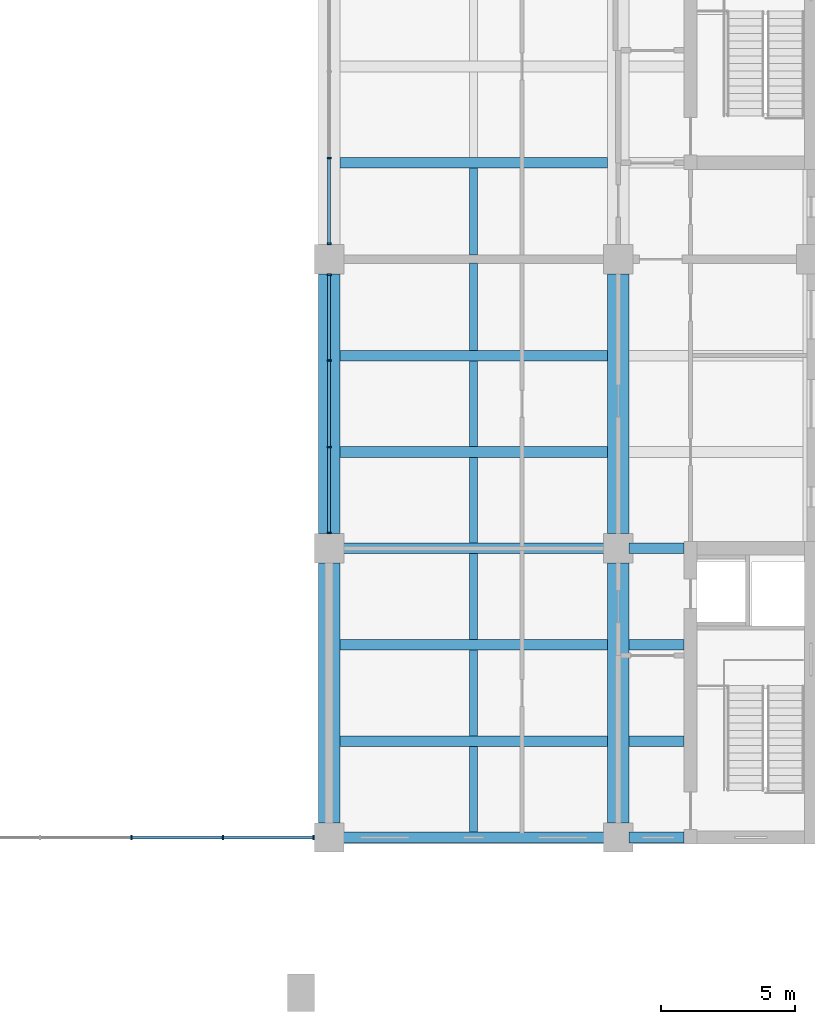
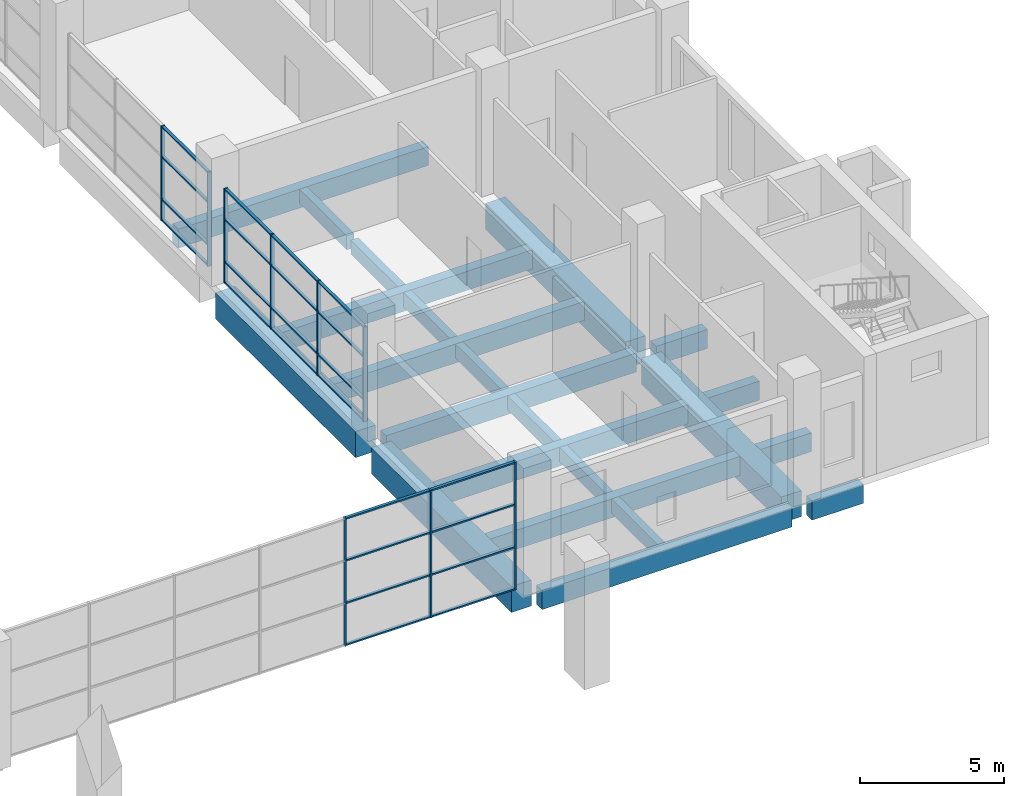
# One storey, part 7 of 33: 33 members, 22 beams, 3 elements without a shape of their own.
"""IFC4 building model written with IfcOpenShell, lengths in metres."""

from ifc_helpers import new_model, si_unit, direction, frame, origin, origin_2d, place, context, subcontext, project, spatial, rectangle, extrude, material, layer, layer_set, material_profile, profile_set, type_object, element, aggregate, save


model = new_model("IFC4")

# Units and contexts
model_context = context("Model", 3, precision=1e-05, world=origin(), true_north=direction((0.0, 1.0)))
body_context = subcontext(model_context, "Body", "Model", "MODEL_VIEW")
ifc_project = project(units=[si_unit("LENGTHUNIT", "METRE"), si_unit("AREAUNIT", "SQUARE_METRE"), si_unit("VOLUMEUNIT", "CUBIC_METRE"), si_unit("PLANEANGLEUNIT", "RADIAN"), si_unit("MASSUNIT", "GRAM", prefix="KILO")], contexts=[model_context])

# Site, building, storey
site_placement = place(None, origin())
site = spatial("IfcSite", under=ifc_project, at=site_placement, CompositionType="ELEMENT")
building_placement = place(site_placement, origin())
building = spatial("IfcBuilding", under=site, at=building_placement, Name="Basin Gate Institute", CompositionType="ELEMENT")
storey_placement = place(building_placement, frame((0.0, 0.0, 6.0)))
storey = spatial("IfcBuildingStorey", under=building, at=storey_placement, Name="L01", CompositionType="ELEMENT", Elevation=6.0)

# Curtain wall, members
ifc_material_1 = material(Name="Aluminium and glass curtain wall", Category="aluminium")
ifc_layer_1 = layer(ifc_material_1, 0.14990234375)
ifc_layer_set_1 = layer_set([ifc_layer_1], Name="Atrium curtain wall CW81")
curtain_wall_type_1 = type_object("IfcCurtainWallType", Name="Atrium curtain wall CW81", PredefinedType="NOTDEFINED", material=ifc_layer_set_1)
curtain_wall_1_placement = place(storey_placement, origin())
curtain_wall_1 = element("IfcCurtainWall", 1, at=curtain_wall_1_placement, inside=storey, type_object=curtain_wall_type_1, material=ifc_layer_set_1, Name="Atrium end screen S L01", PredefinedType="NOTDEFINED")
ifc_material_2 = material(Name="Aluminium mullion", Category="aluminium")
ifc_material_profile_1 = material_profile(ifc_material_2, rectangle(XDim=0.159912109375, YDim=0.06005859375, at=origin_2d()), Name="Atrium mullion MU81 160 x 60")
ifc_profile_set_1 = profile_set([ifc_material_profile_1], Name="Aluminium mullion")
member_type_1 = type_object("IfcMemberType", Name="Atrium mullion MU81", PredefinedType="MULLION", material=ifc_profile_set_1)
member_1_placement = place(storey_placement, frame((93.416748046875, 35.10009765625, 0.0), z_axis=(0.0, 0.0, 1.0), x_axis=(0.0, 1.0, 0.0)))
member_1 = element("IfcMember", 2, at=member_1_placement, type_object=member_type_1, material=ifc_profile_set_1, Name="CW81 mullion 5", PredefinedType="MULLION", context=body_context, shape_type="SweptSolid", body=[
    extrude(rectangle(XDim=0.159912109375, YDim=0.06005859375, at=origin_2d()), origin(), (0.0, 0.0, 1.0), 5.39990234375),
])
member_2_placement = place(storey_placement, frame((96.833251953125, 35.10009765625, 0.0), z_axis=(0.0, 0.0, 1.0), x_axis=(0.0, 1.0, 0.0)))
member_2 = element("IfcMember", 3, at=member_2_placement, type_object=member_type_1, material=ifc_profile_set_1, Name="CW81 mullion 6", PredefinedType="MULLION", context=body_context, shape_type="SweptSolid", body=[
    extrude(rectangle(XDim=0.159912109375, YDim=0.06005859375, at=origin_2d()), origin(), (0.0, 0.0, 1.0), 5.39990234375),
])
member_3_placement = place(storey_placement, frame((100.219970703125, 35.10009765625, 0.0), z_axis=(0.0, 0.0, 1.0), x_axis=(0.0, 1.0, 0.0)))
member_3 = element("IfcMember", 4, at=member_3_placement, type_object=member_type_1, material=ifc_profile_set_1, Name="CW81 mullion 7", PredefinedType="MULLION", context=body_context, shape_type="SweptSolid", body=[
    extrude(rectangle(XDim=0.159912109375, YDim=0.06005859375, at=origin_2d()), origin(), (0.0, 0.0, 1.0), 5.39990234375),
])
ifc_material_3 = material(Name="Aluminium transom", Category="aluminium")
ifc_material_profile_2 = material_profile(ifc_material_3, rectangle(XDim=0.1201171875, YDim=0.06005859375, at=origin_2d()), Name="Atrium transom TR81 120 x 60")
ifc_profile_set_2 = profile_set([ifc_material_profile_2], Name="Aluminium transom")
member_type_2 = type_object("IfcMemberType", Name="Atrium transom TR81", PredefinedType="USERDEFINED", material=ifc_profile_set_2)
member_4_placement = place(storey_placement, frame((93.44677734375, 35.10009765625, 0.030029296875), z_axis=(1.0, 0.0, 0.0), x_axis=(0.0, 1.0, 0.0)))
member_4 = element("IfcMember", 5, at=member_4_placement, type_object=member_type_2, material=ifc_profile_set_2, Name="CW81 transom 5.1", ObjectType="TRANSOM", PredefinedType="USERDEFINED", context=body_context, shape_type="SweptSolid", body=[
    extrude(rectangle(XDim=0.1201171875, YDim=0.06005859375, at=origin_2d()), origin(), (0.0, 0.0, 1.0), 3.3564453125),
])
member_5_placement = place(storey_placement, frame((93.44677734375, 35.10009765625, 1.800048828125), z_axis=(1.0, 0.0, 0.0), x_axis=(0.0, 1.0, 0.0)))
member_5 = element("IfcMember", 6, at=member_5_placement, type_object=member_type_2, material=ifc_profile_set_2, Name="CW81 transom 5.2", ObjectType="TRANSOM", PredefinedType="USERDEFINED", context=body_context, shape_type="SweptSolid", body=[
    extrude(rectangle(XDim=0.1201171875, YDim=0.06005859375, at=origin_2d()), origin(), (0.0, 0.0, 1.0), 3.3564453125),
])
member_6_placement = place(storey_placement, frame((93.44677734375, 35.10009765625, 3.60009765625), z_axis=(1.0, 0.0, 0.0), x_axis=(0.0, 1.0, 0.0)))
member_6 = element("IfcMember", 7, at=member_6_placement, type_object=member_type_2, material=ifc_profile_set_2, Name="CW81 transom 5.3", ObjectType="TRANSOM", PredefinedType="USERDEFINED", context=body_context, shape_type="SweptSolid", body=[
    extrude(rectangle(XDim=0.1201171875, YDim=0.06005859375, at=origin_2d()), origin(), (0.0, 0.0, 1.0), 3.3564453125),
])
member_7_placement = place(storey_placement, frame((93.44677734375, 35.10009765625, 5.3701171875), z_axis=(1.0, 0.0, 0.0), x_axis=(0.0, 1.0, 0.0)))
member_7 = element("IfcMember", 8, at=member_7_placement, type_object=member_type_2, material=ifc_profile_set_2, Name="CW81 transom 5.4", ObjectType="TRANSOM", PredefinedType="USERDEFINED", context=body_context, shape_type="SweptSolid", body=[
    extrude(rectangle(XDim=0.1201171875, YDim=0.06005859375, at=origin_2d()), origin(), (0.0, 0.0, 1.0), 3.3564453125),
])
member_8_placement = place(storey_placement, frame((96.86328125, 35.10009765625, 0.030029296875), z_axis=(1.0, 0.0, 0.0), x_axis=(0.0, 1.0, 0.0)))
member_8 = element("IfcMember", 9, at=member_8_placement, type_object=member_type_2, material=ifc_profile_set_2, Name="CW81 transom 6.1", ObjectType="TRANSOM", PredefinedType="USERDEFINED", context=body_context, shape_type="SweptSolid", body=[
    extrude(rectangle(XDim=0.1201171875, YDim=0.06005859375, at=origin_2d()), origin(), (0.0, 0.0, 1.0), 3.32666015625),
])
member_9_placement = place(storey_placement, frame((96.86328125, 35.10009765625, 1.800048828125), z_axis=(1.0, 0.0, 0.0), x_axis=(0.0, 1.0, 0.0)))
member_9 = element("IfcMember", 10, at=member_9_placement, type_object=member_type_2, material=ifc_profile_set_2, Name="CW81 transom 6.2", ObjectType="TRANSOM", PredefinedType="USERDEFINED", context=body_context, shape_type="SweptSolid", body=[
    extrude(rectangle(XDim=0.1201171875, YDim=0.06005859375, at=origin_2d()), origin(), (0.0, 0.0, 1.0), 3.32666015625),
])
member_10_placement = place(storey_placement, frame((96.86328125, 35.10009765625, 3.60009765625), z_axis=(1.0, 0.0, 0.0), x_axis=(0.0, 1.0, 0.0)))
member_10 = element("IfcMember", 11, at=member_10_placement, type_object=member_type_2, material=ifc_profile_set_2, Name="CW81 transom 6.3", ObjectType="TRANSOM", PredefinedType="USERDEFINED", context=body_context, shape_type="SweptSolid", body=[
    extrude(rectangle(XDim=0.1201171875, YDim=0.06005859375, at=origin_2d()), origin(), (0.0, 0.0, 1.0), 3.32666015625),
])
member_11_placement = place(storey_placement, frame((96.86328125, 35.10009765625, 5.3701171875), z_axis=(1.0, 0.0, 0.0), x_axis=(0.0, 1.0, 0.0)))
member_11 = element("IfcMember", 12, at=member_11_placement, type_object=member_type_2, material=ifc_profile_set_2, Name="CW81 transom 6.4", ObjectType="TRANSOM", PredefinedType="USERDEFINED", context=body_context, shape_type="SweptSolid", body=[
    extrude(rectangle(XDim=0.1201171875, YDim=0.06005859375, at=origin_2d()), origin(), (0.0, 0.0, 1.0), 3.32666015625),
])
aggregate(curtain_wall_1, [member_1, member_2, member_3, member_4, member_5, member_6, member_7, member_8, member_9, member_10, member_11])

# Beams
ifc_material_4 = material(Name="Concrete 40 MPa", Category="concrete")
ifc_material_profile_3 = material_profile(ifc_material_4, rectangle(XDim=0.39990234375, YDim=0.800048828125, at=origin_2d()), Name="Beam B2 400 x 800")
ifc_profile_set_3 = profile_set([ifc_material_profile_3], Name="Concrete 40 MPa")
beam_type_1 = type_object("IfcBeamType", Name="Beam B2 R180", PredefinedType="BEAM", material=ifc_profile_set_3)
beam_1_placement = place(storey_placement, frame((111.199951171875, 35.10009765625, -0.699951171875), z_axis=(-1.0, 0.0, 0.0), x_axis=(0.0, -1.0, 0.0)))
element("IfcBeam", 13, at=beam_1_placement, inside=storey, type_object=beam_type_1, material=ifc_profile_set_3, Name="BEAM/L01/E/EW/01", PredefinedType="BEAM", context=body_context, shape_type="SweptSolid", body=[
    extrude(rectangle(XDim=0.39990234375, YDim=0.800048828125, at=origin_2d()), origin(), (0.0, 0.0, 1.0), 10.0),
])
beam_2_placement = place(storey_placement, frame((114.050048828125, 35.10009765625, -0.699951171875), z_axis=(-1.0, 0.0, 0.0), x_axis=(0.0, -1.0, 0.0)))
element("IfcBeam", 14, at=beam_2_placement, inside=storey, type_object=beam_type_1, material=ifc_profile_set_3, Name="BEAM/L01/E/CORR/01", PredefinedType="BEAM", context=body_context, shape_type="SweptSolid", body=[
    extrude(rectangle(XDim=0.39990234375, YDim=0.800048828125, at=origin_2d()), origin(), (0.0, 0.0, 1.0), 2.050048828125),
])
beam_3_placement = place(storey_placement, frame((111.199951171875, 38.699951171875, -0.699951171875), z_axis=(-1.0, 0.0, 0.0), x_axis=(0.0, -1.0, 0.0)))
element("IfcBeam", 15, at=beam_3_placement, inside=storey, type_object=beam_type_1, material=ifc_profile_set_3, Name="BEAM/L01/E/EW/02", PredefinedType="BEAM", context=body_context, shape_type="SweptSolid", body=[
    extrude(rectangle(XDim=0.39990234375, YDim=0.800048828125, at=origin_2d()), origin(), (0.0, 0.0, 1.0), 10.0),
])
beam_4_placement = place(storey_placement, frame((114.050048828125, 38.699951171875, -0.699951171875), z_axis=(-1.0, 0.0, 0.0), x_axis=(0.0, -1.0, 0.0)))
element("IfcBeam", 16, at=beam_4_placement, inside=storey, type_object=beam_type_1, material=ifc_profile_set_3, Name="BEAM/L01/E/CORR/02", PredefinedType="BEAM", context=body_context, shape_type="SweptSolid", body=[
    extrude(rectangle(XDim=0.39990234375, YDim=0.800048828125, at=origin_2d()), origin(), (0.0, 0.0, 1.0), 2.050048828125),
])
beam_5_placement = place(storey_placement, frame((111.199951171875, 42.300048828125, -0.699951171875), z_axis=(-1.0, 0.0, 0.0), x_axis=(0.0, -1.0, 0.0)))
element("IfcBeam", 17, at=beam_5_placement, inside=storey, type_object=beam_type_1, material=ifc_profile_set_3, Name="BEAM/L01/E/EW/03", PredefinedType="BEAM", context=body_context, shape_type="SweptSolid", body=[
    extrude(rectangle(XDim=0.39990234375, YDim=0.800048828125, at=origin_2d()), origin(), (0.0, 0.0, 1.0), 10.0),
])
beam_6_placement = place(storey_placement, frame((114.050048828125, 42.300048828125, -0.699951171875), z_axis=(-1.0, 0.0, 0.0), x_axis=(0.0, -1.0, 0.0)))
element("IfcBeam", 18, at=beam_6_placement, inside=storey, type_object=beam_type_1, material=ifc_profile_set_3, Name="BEAM/L01/E/CORR/03", PredefinedType="BEAM", context=body_context, shape_type="SweptSolid", body=[
    extrude(rectangle(XDim=0.39990234375, YDim=0.800048828125, at=origin_2d()), origin(), (0.0, 0.0, 1.0), 2.050048828125),
])
beam_7_placement = place(storey_placement, frame((111.199951171875, 45.89990234375, -0.699951171875), z_axis=(-1.0, 0.0, 0.0), x_axis=(0.0, -1.0, 0.0)))
element("IfcBeam", 19, at=beam_7_placement, inside=storey, type_object=beam_type_1, material=ifc_profile_set_3, Name="BEAM/L01/E/EW/04", PredefinedType="BEAM", context=body_context, shape_type="SweptSolid", body=[
    extrude(rectangle(XDim=0.39990234375, YDim=0.800048828125, at=origin_2d()), origin(), (0.0, 0.0, 1.0), 10.0),
])
beam_8_placement = place(storey_placement, frame((114.050048828125, 45.89990234375, -0.699951171875), z_axis=(-1.0, 0.0, 0.0), x_axis=(0.0, -1.0, 0.0)))
element("IfcBeam", 20, at=beam_8_placement, inside=storey, type_object=beam_type_1, material=ifc_profile_set_3, Name="BEAM/L01/E/CORR/04", PredefinedType="BEAM", context=body_context, shape_type="SweptSolid", body=[
    extrude(rectangle(XDim=0.39990234375, YDim=0.800048828125, at=origin_2d()), origin(), (0.0, 0.0, 1.0), 2.050048828125),
])
for number, where, z_axis, x_axis, name in (
    (21, (111.199951171875, 49.5, -0.699951171875), (-1.0, 0.0, 0.0), (0.0, -1.0, 0.0), "BEAM/L01/E/EW/05"),
    (22, (111.199951171875, 53.10009765625, -0.699951171875), (-1.0, 0.0, 0.0), (0.0, -1.0, 0.0), "BEAM/L01/E/EW/06"),
    (23, (111.199951171875, 60.300048828125, -0.699951171875), (-1.0, 0.0, 0.0), (0.0, -1.0, 0.0), "BEAM/L01/E/EW/08"),
):
    element("IfcBeam", number, at=place(storey_placement, frame(where, z_axis=z_axis, x_axis=x_axis)), inside=storey, type_object=beam_type_1, material=ifc_profile_set_3, Name=name, PredefinedType="BEAM", context=body_context, shape_type="SweptSolid", body=[
        extrude(rectangle(XDim=0.39990234375, YDim=0.800048828125, at=origin_2d()), origin(), (0.0, 0.0, 1.0), 10.0),
    ])
ifc_material_5 = material(Name="Concrete 50 MPa", Category="concrete")
ifc_material_profile_4 = material_profile(ifc_material_5, rectangle(XDim=0.800048828125, YDim=1.10009765625, at=origin_2d()), Name="Girder G2 800 x 1100")
ifc_profile_set_4 = profile_set([ifc_material_profile_4], Name="Concrete 50 MPa")
beam_type_2 = type_object("IfcBeamType", Name="Girder G2 R180", PredefinedType="BEAM", material=ifc_profile_set_4)
beam_9_placement = place(storey_placement, frame((111.60009765625, 35.64990234375, -0.85009765625), z_axis=(0.0, 1.0, 0.0), x_axis=(-1.0, 0.0, 0.0)))
element("IfcBeam", 24, at=beam_9_placement, inside=storey, type_object=beam_type_2, material=ifc_profile_set_4, Name="GIR/L01/E8/1", PredefinedType="BEAM", context=body_context, shape_type="SweptSolid", body=[
    extrude(rectangle(XDim=0.800048828125, YDim=1.10009765625, at=origin_2d()), origin(), (0.0, 0.0, 1.0), 9.7001953125),
])
beam_10_placement = place(storey_placement, frame((111.60009765625, 46.449951171875, -0.85009765625), z_axis=(0.0, 1.0, 0.0), x_axis=(-1.0, 0.0, 0.0)))
element("IfcBeam", 25, at=beam_10_placement, inside=storey, type_object=beam_type_2, material=ifc_profile_set_4, Name="GIR/L01/E8/2", PredefinedType="BEAM", context=body_context, shape_type="SweptSolid", body=[
    extrude(rectangle(XDim=0.800048828125, YDim=1.10009765625, at=origin_2d()), origin(), (0.0, 0.0, 1.0), 9.699951171875),
])
beam_11_placement = place(storey_placement, frame((100.800048828125, 35.64990234375, -0.85009765625), z_axis=(0.0, 1.0, 0.0), x_axis=(-1.0, 0.0, 0.0)))
element("IfcBeam", 26, at=beam_11_placement, inside=storey, type_object=beam_type_2, material=ifc_profile_set_4, Name="GIR/L01/E7/1", PredefinedType="BEAM", context=body_context, shape_type="SweptSolid", body=[
    extrude(rectangle(XDim=0.800048828125, YDim=1.10009765625, at=origin_2d()), origin(), (0.0, 0.0, 1.0), 9.7001953125),
])
beam_12_placement = place(storey_placement, frame((100.800048828125, 46.449951171875, -0.85009765625), z_axis=(0.0, 1.0, 0.0), x_axis=(-1.0, 0.0, 0.0)))
element("IfcBeam", 27, at=beam_12_placement, inside=storey, type_object=beam_type_2, material=ifc_profile_set_4, Name="GIR/L01/E7/2", PredefinedType="BEAM", context=body_context, shape_type="SweptSolid", body=[
    extrude(rectangle(XDim=0.800048828125, YDim=1.10009765625, at=origin_2d()), origin(), (0.0, 0.0, 1.0), 9.699951171875),
])

# Curtain wall, members
ifc_material_6 = material(Name="Fire-resistant glazing in steel-free frame", Category="steel")
ifc_layer_2 = layer(ifc_material_6, 0.199951171875)
ifc_layer_set_2 = layer_set([ifc_layer_2], Name="Fire-resistant glazing in steel-free frame")
curtain_wall_type_2 = type_object("IfcCurtainWallType", Name="Atrium rated curtain wall CW3", PredefinedType="NOTDEFINED", material=ifc_layer_set_2)
curtain_wall_2_placement = place(storey_placement, origin())
curtain_wall_2 = element("IfcCurtainWall", 28, at=curtain_wall_2_placement, inside=storey, type_object=curtain_wall_type_2, material=ifc_layer_set_2, Name="Atrium rated curtain wall E wing atrium bay 2 L01", PredefinedType="NOTDEFINED")
ifc_material_7 = material(Name="Aluminium", Category="aluminium")
ifc_material_profile_5 = material_profile(ifc_material_7, rectangle(XDim=0.14990234375, YDim=0.06005859375, at=origin_2d()), Name="Mullion MU3 150 x 60")
ifc_profile_set_5 = profile_set([ifc_material_profile_5], Name="Aluminium")
member_type_3 = type_object("IfcMemberType", Name="Mullion MU3", PredefinedType="MULLION", material=ifc_profile_set_5)
member_12_placement = place(storey_placement, frame((100.800048828125, 46.47998046875, 0.0), z_axis=(0.0, 0.0, 1.0), x_axis=(-1.0, 0.0, 0.0)))
member_12 = element("IfcMember", 29, at=member_12_placement, type_object=member_type_3, material=ifc_profile_set_5, Name="CW3 mullion 1", PredefinedType="MULLION", context=body_context, shape_type="SweptSolid", body=[
    extrude(rectangle(XDim=0.14990234375, YDim=0.06005859375, at=origin_2d()), origin(), (0.0, 0.0, 1.0), 4.0),
])
member_13_placement = place(storey_placement, frame((100.800048828125, 49.683349609375, 0.0), z_axis=(0.0, 0.0, 1.0), x_axis=(-1.0, 0.0, 0.0)))
member_13 = element("IfcMember", 30, at=member_13_placement, type_object=member_type_3, material=ifc_profile_set_5, Name="CW3 mullion 2", PredefinedType="MULLION", context=body_context, shape_type="SweptSolid", body=[
    extrude(rectangle(XDim=0.14990234375, YDim=0.06005859375, at=origin_2d()), origin(), (0.0, 0.0, 1.0), 4.0),
])
member_14_placement = place(storey_placement, frame((100.800048828125, 52.916748046875, 0.0), z_axis=(0.0, 0.0, 1.0), x_axis=(-1.0, 0.0, 0.0)))
member_14 = element("IfcMember", 31, at=member_14_placement, type_object=member_type_3, material=ifc_profile_set_5, Name="CW3 mullion 3", PredefinedType="MULLION", context=body_context, shape_type="SweptSolid", body=[
    extrude(rectangle(XDim=0.14990234375, YDim=0.06005859375, at=origin_2d()), origin(), (0.0, 0.0, 1.0), 4.0),
])
member_15_placement = place(storey_placement, frame((100.800048828125, 56.1201171875, 0.0), z_axis=(0.0, 0.0, 1.0), x_axis=(-1.0, 0.0, 0.0)))
member_15 = element("IfcMember", 32, at=member_15_placement, type_object=member_type_3, material=ifc_profile_set_5, Name="CW3 mullion 4", PredefinedType="MULLION", context=body_context, shape_type="SweptSolid", body=[
    extrude(rectangle(XDim=0.14990234375, YDim=0.06005859375, at=origin_2d()), origin(), (0.0, 0.0, 1.0), 4.0),
])

curtain_wall_3_placement = place(storey_placement, origin())
curtain_wall_3 = element("IfcCurtainWall", 33, at=curtain_wall_3_placement, inside=storey, type_object=curtain_wall_type_2, material=ifc_layer_set_2, Name="Atrium rated curtain wall E wing atrium bay 3 L01", PredefinedType="NOTDEFINED")
member_16_placement = place(storey_placement, frame((100.800048828125, 57.280029296875, 0.0), z_axis=(0.0, 0.0, 1.0), x_axis=(-1.0, 0.0, 0.0)))
member_16 = element("IfcMember", 34, at=member_16_placement, type_object=member_type_3, material=ifc_profile_set_5, Name="CW3 mullion 1", PredefinedType="MULLION", context=body_context, shape_type="SweptSolid", body=[
    extrude(rectangle(XDim=0.14990234375, YDim=0.06005859375, at=origin_2d()), origin(), (0.0, 0.0, 1.0), 4.0),
])
member_17_placement = place(storey_placement, frame((100.800048828125, 60.4833984375, 0.0), z_axis=(0.0, 0.0, 1.0), x_axis=(-1.0, 0.0, 0.0)))
member_17 = element("IfcMember", 35, at=member_17_placement, type_object=member_type_3, material=ifc_profile_set_5, Name="CW3 mullion 2", PredefinedType="MULLION", context=body_context, shape_type="SweptSolid", body=[
    extrude(rectangle(XDim=0.14990234375, YDim=0.06005859375, at=origin_2d()), origin(), (0.0, 0.0, 1.0), 4.0),
])

# Beams
ifc_material_8 = material(Name="Concrete 40 MPa", Category="concrete")
ifc_material_profile_6 = material_profile(ifc_material_8, rectangle(XDim=0.300048828125, YDim=0.60009765625, at=origin_2d()), Name="Rib R2 300 x 600")
ifc_profile_set_6 = profile_set([ifc_material_profile_6], Name="Concrete 40 MPa")
beam_type_3 = type_object("IfcBeamType", Name="Rib R2 R180", PredefinedType="JOIST", material=ifc_profile_set_6)
beam_13_placement = place(storey_placement, frame((106.199951171875, 35.300048828125, -0.60009765625), z_axis=(0.0, 1.0, 0.0), x_axis=(-1.0, 0.0, 0.0)))
element("IfcBeam", 36, at=beam_13_placement, inside=storey, type_object=beam_type_3, material=ifc_profile_set_6, Name="BEAM/L01/E/RIB/01", PredefinedType="JOIST", context=body_context, shape_type="SweptSolid", body=[
    extrude(rectangle(XDim=0.300048828125, YDim=0.60009765625, at=origin_2d()), origin(), (0.0, 0.0, 1.0), 3.199951171875),
])
beam_14_placement = place(storey_placement, frame((106.199951171875, 38.89990234375, -0.60009765625), z_axis=(0.0, 1.0, 0.0), x_axis=(-1.0, 0.0, 0.0)))
element("IfcBeam", 37, at=beam_14_placement, inside=storey, type_object=beam_type_3, material=ifc_profile_set_6, Name="BEAM/L01/E/RIB/02", PredefinedType="JOIST", context=body_context, shape_type="SweptSolid", body=[
    extrude(rectangle(XDim=0.300048828125, YDim=0.60009765625, at=origin_2d()), origin(), (0.0, 0.0, 1.0), 3.2001953125),
])
for number, where, z_axis, x_axis, name in (
    (38, (106.199951171875, 42.5, -0.60009765625), (0.0, 1.0, 0.0), (-1.0, 0.0, 0.0), "BEAM/L01/E/RIB/03"),
    (39, (106.199951171875, 46.10009765625, -0.60009765625), (0.0, 1.0, 0.0), (-1.0, 0.0, 0.0), "BEAM/L01/E/RIB/04"),
    (40, (106.199951171875, 49.699951171875, -0.60009765625), (0.0, 1.0, 0.0), (-1.0, 0.0, 0.0), "BEAM/L01/E/RIB/05"),
):
    element("IfcBeam", number, at=place(storey_placement, frame(where, z_axis=z_axis, x_axis=x_axis)), inside=storey, type_object=beam_type_3, material=ifc_profile_set_6, Name=name, PredefinedType="JOIST", context=body_context, shape_type="SweptSolid", body=[
        extrude(rectangle(XDim=0.300048828125, YDim=0.60009765625, at=origin_2d()), origin(), (0.0, 0.0, 1.0), 3.199951171875),
    ])
for number, where, z_axis, x_axis, name in (
    (41, (106.199951171875, 53.300048828125, -0.60009765625), (0.0, 1.0, 0.0), (-1.0, 0.0, 0.0), "BEAM/L01/E/RIB/06"),
    (42, (106.199951171875, 56.85009765625, -0.60009765625), (0.0, 1.0, 0.0), (-1.0, 0.0, 0.0), "BEAM/L01/E/RIB/07"),
):
    element("IfcBeam", number, at=place(storey_placement, frame(where, z_axis=z_axis, x_axis=x_axis)), inside=storey, type_object=beam_type_3, material=ifc_profile_set_6, Name=name, PredefinedType="JOIST", context=body_context, shape_type="SweptSolid", body=[
        extrude(rectangle(XDim=0.300048828125, YDim=0.60009765625, at=origin_2d()), origin(), (0.0, 0.0, 1.0), 3.25),
    ])

# Member
ifc_material_9 = material(Name="Aluminium", Category="aluminium")
ifc_material_profile_7 = material_profile(ifc_material_9, rectangle(XDim=0.1201171875, YDim=0.06005859375, at=origin_2d()), Name="Transom TR3 120 x 60")
ifc_profile_set_7 = profile_set([ifc_material_profile_7], Name="Aluminium")
member_type_4 = type_object("IfcMemberType", Name="Transom TR3", PredefinedType="USERDEFINED", material=ifc_profile_set_7)
member_18_placement = place(storey_placement, frame((100.800048828125, 46.510009765625, 0.030029296875), z_axis=(0.0, 1.0, 0.0), x_axis=(-1.0, 0.0, 0.0)))
member_18 = element("IfcMember", 43, at=member_18_placement, type_object=member_type_4, material=ifc_profile_set_7, Name="CW3 transom 1.1", ObjectType="TRANSOM", PredefinedType="USERDEFINED", context=body_context, shape_type="SweptSolid", body=[
    extrude(rectangle(XDim=0.1201171875, YDim=0.06005859375, at=origin_2d()), origin(), (0.0, 0.0, 1.0), 3.143310546875),
])

member_19_placement = place(storey_placement, frame((100.800048828125, 46.510009765625, 0.89990234375), z_axis=(0.0, 1.0, 0.0), x_axis=(-1.0, 0.0, 0.0)))
member_19 = element("IfcMember", 44, at=member_19_placement, type_object=member_type_4, material=ifc_profile_set_7, Name="CW3 transom 1.2", ObjectType="TRANSOM", PredefinedType="USERDEFINED", context=body_context, shape_type="SweptSolid", body=[
    extrude(rectangle(XDim=0.1201171875, YDim=0.06005859375, at=origin_2d()), origin(), (0.0, 0.0, 1.0), 3.143310546875),
])

member_20_placement = place(storey_placement, frame((100.800048828125, 46.510009765625, 2.699951171875), z_axis=(0.0, 1.0, 0.0), x_axis=(-1.0, 0.0, 0.0)))
member_20 = element("IfcMember", 45, at=member_20_placement, type_object=member_type_4, material=ifc_profile_set_7, Name="CW3 transom 1.3", ObjectType="TRANSOM", PredefinedType="USERDEFINED", context=body_context, shape_type="SweptSolid", body=[
    extrude(rectangle(XDim=0.1201171875, YDim=0.06005859375, at=origin_2d()), origin(), (0.0, 0.0, 1.0), 3.143310546875),
])

member_21_placement = place(storey_placement, frame((100.800048828125, 46.510009765625, 3.969970703125), z_axis=(0.0, 1.0, 0.0), x_axis=(-1.0, 0.0, 0.0)))
member_21 = element("IfcMember", 46, at=member_21_placement, type_object=member_type_4, material=ifc_profile_set_7, Name="CW3 transom 1.4", ObjectType="TRANSOM", PredefinedType="USERDEFINED", context=body_context, shape_type="SweptSolid", body=[
    extrude(rectangle(XDim=0.1201171875, YDim=0.06005859375, at=origin_2d()), origin(), (0.0, 0.0, 1.0), 3.143310546875),
])

member_22_placement = place(storey_placement, frame((100.800048828125, 49.71337890625, 0.030029296875), z_axis=(0.0, 1.0, 0.0), x_axis=(-1.0, 0.0, 0.0)))
member_22 = element("IfcMember", 47, at=member_22_placement, type_object=member_type_4, material=ifc_profile_set_7, Name="CW3 transom 2.1", ObjectType="TRANSOM", PredefinedType="USERDEFINED", context=body_context, shape_type="SweptSolid", body=[
    extrude(rectangle(XDim=0.1201171875, YDim=0.06005859375, at=origin_2d()), origin(), (0.0, 0.0, 1.0), 3.17333984375),
])

member_23_placement = place(storey_placement, frame((100.800048828125, 49.71337890625, 0.89990234375), z_axis=(0.0, 1.0, 0.0), x_axis=(-1.0, 0.0, 0.0)))
member_23 = element("IfcMember", 48, at=member_23_placement, type_object=member_type_4, material=ifc_profile_set_7, Name="CW3 transom 2.2", ObjectType="TRANSOM", PredefinedType="USERDEFINED", context=body_context, shape_type="SweptSolid", body=[
    extrude(rectangle(XDim=0.1201171875, YDim=0.06005859375, at=origin_2d()), origin(), (0.0, 0.0, 1.0), 3.17333984375),
])

member_24_placement = place(storey_placement, frame((100.800048828125, 49.71337890625, 2.699951171875), z_axis=(0.0, 1.0, 0.0), x_axis=(-1.0, 0.0, 0.0)))
member_24 = element("IfcMember", 49, at=member_24_placement, type_object=member_type_4, material=ifc_profile_set_7, Name="CW3 transom 2.3", ObjectType="TRANSOM", PredefinedType="USERDEFINED", context=body_context, shape_type="SweptSolid", body=[
    extrude(rectangle(XDim=0.1201171875, YDim=0.06005859375, at=origin_2d()), origin(), (0.0, 0.0, 1.0), 3.17333984375),
])

member_25_placement = place(storey_placement, frame((100.800048828125, 49.71337890625, 3.969970703125), z_axis=(0.0, 1.0, 0.0), x_axis=(-1.0, 0.0, 0.0)))
member_25 = element("IfcMember", 50, at=member_25_placement, type_object=member_type_4, material=ifc_profile_set_7, Name="CW3 transom 2.4", ObjectType="TRANSOM", PredefinedType="USERDEFINED", context=body_context, shape_type="SweptSolid", body=[
    extrude(rectangle(XDim=0.1201171875, YDim=0.06005859375, at=origin_2d()), origin(), (0.0, 0.0, 1.0), 3.17333984375),
])

member_26_placement = place(storey_placement, frame((100.800048828125, 52.94677734375, 0.030029296875), z_axis=(0.0, 1.0, 0.0), x_axis=(-1.0, 0.0, 0.0)))
member_26 = element("IfcMember", 51, at=member_26_placement, type_object=member_type_4, material=ifc_profile_set_7, Name="CW3 transom 3.1", ObjectType="TRANSOM", PredefinedType="USERDEFINED", context=body_context, shape_type="SweptSolid", body=[
    extrude(rectangle(XDim=0.1201171875, YDim=0.06005859375, at=origin_2d()), origin(), (0.0, 0.0, 1.0), 3.143310546875),
])

member_27_placement = place(storey_placement, frame((100.800048828125, 52.94677734375, 0.89990234375), z_axis=(0.0, 1.0, 0.0), x_axis=(-1.0, 0.0, 0.0)))
member_27 = element("IfcMember", 52, at=member_27_placement, type_object=member_type_4, material=ifc_profile_set_7, Name="CW3 transom 3.2", ObjectType="TRANSOM", PredefinedType="USERDEFINED", context=body_context, shape_type="SweptSolid", body=[
    extrude(rectangle(XDim=0.1201171875, YDim=0.06005859375, at=origin_2d()), origin(), (0.0, 0.0, 1.0), 3.143310546875),
])

member_28_placement = place(storey_placement, frame((100.800048828125, 52.94677734375, 2.699951171875), z_axis=(0.0, 1.0, 0.0), x_axis=(-1.0, 0.0, 0.0)))
member_28 = element("IfcMember", 53, at=member_28_placement, type_object=member_type_4, material=ifc_profile_set_7, Name="CW3 transom 3.3", ObjectType="TRANSOM", PredefinedType="USERDEFINED", context=body_context, shape_type="SweptSolid", body=[
    extrude(rectangle(XDim=0.1201171875, YDim=0.06005859375, at=origin_2d()), origin(), (0.0, 0.0, 1.0), 3.143310546875),
])

member_29_placement = place(storey_placement, frame((100.800048828125, 52.94677734375, 3.969970703125), z_axis=(0.0, 1.0, 0.0), x_axis=(-1.0, 0.0, 0.0)))
member_29 = element("IfcMember", 54, at=member_29_placement, type_object=member_type_4, material=ifc_profile_set_7, Name="CW3 transom 3.4", ObjectType="TRANSOM", PredefinedType="USERDEFINED", context=body_context, shape_type="SweptSolid", body=[
    extrude(rectangle(XDim=0.1201171875, YDim=0.06005859375, at=origin_2d()), origin(), (0.0, 0.0, 1.0), 3.143310546875),
])

aggregate(curtain_wall_2, [member_12, member_13, member_14, member_15, member_18, member_19, member_20, member_21, member_22, member_23, member_24, member_25, member_26, member_27, member_28, member_29])

member_30_placement = place(storey_placement, frame((100.800048828125, 57.31005859375, 0.030029296875), z_axis=(0.0, 1.0, 0.0), x_axis=(-1.0, 0.0, 0.0)))
member_30 = element("IfcMember", 55, at=member_30_placement, type_object=member_type_4, material=ifc_profile_set_7, Name="CW3 transom 1.1", ObjectType="TRANSOM", PredefinedType="USERDEFINED", context=body_context, shape_type="SweptSolid", body=[
    extrude(rectangle(XDim=0.1201171875, YDim=0.06005859375, at=origin_2d()), origin(), (0.0, 0.0, 1.0), 3.143310546875),
])

member_31_placement = place(storey_placement, frame((100.800048828125, 57.31005859375, 0.89990234375), z_axis=(0.0, 1.0, 0.0), x_axis=(-1.0, 0.0, 0.0)))
member_31 = element("IfcMember", 56, at=member_31_placement, type_object=member_type_4, material=ifc_profile_set_7, Name="CW3 transom 1.2", ObjectType="TRANSOM", PredefinedType="USERDEFINED", context=body_context, shape_type="SweptSolid", body=[
    extrude(rectangle(XDim=0.1201171875, YDim=0.06005859375, at=origin_2d()), origin(), (0.0, 0.0, 1.0), 3.143310546875),
])

member_32_placement = place(storey_placement, frame((100.800048828125, 57.31005859375, 2.699951171875), z_axis=(0.0, 1.0, 0.0), x_axis=(-1.0, 0.0, 0.0)))
member_32 = element("IfcMember", 57, at=member_32_placement, type_object=member_type_4, material=ifc_profile_set_7, Name="CW3 transom 1.3", ObjectType="TRANSOM", PredefinedType="USERDEFINED", context=body_context, shape_type="SweptSolid", body=[
    extrude(rectangle(XDim=0.1201171875, YDim=0.06005859375, at=origin_2d()), origin(), (0.0, 0.0, 1.0), 3.143310546875),
])

member_33_placement = place(storey_placement, frame((100.800048828125, 57.31005859375, 3.969970703125), z_axis=(0.0, 1.0, 0.0), x_axis=(-1.0, 0.0, 0.0)))
member_33 = element("IfcMember", 58, at=member_33_placement, type_object=member_type_4, material=ifc_profile_set_7, Name="CW3 transom 1.4", ObjectType="TRANSOM", PredefinedType="USERDEFINED", context=body_context, shape_type="SweptSolid", body=[
    extrude(rectangle(XDim=0.1201171875, YDim=0.06005859375, at=origin_2d()), origin(), (0.0, 0.0, 1.0), 3.143310546875),
])

aggregate(curtain_wall_3, [member_16, member_17, member_30, member_31, member_32, member_33])

save(model, "model.ifc")
